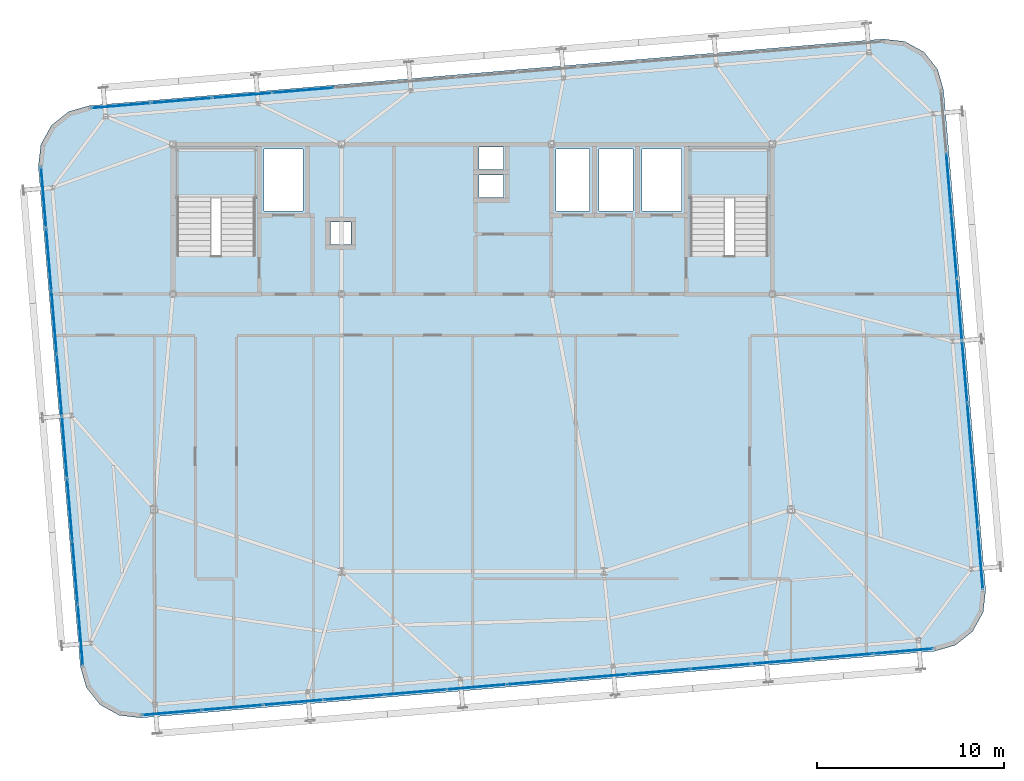
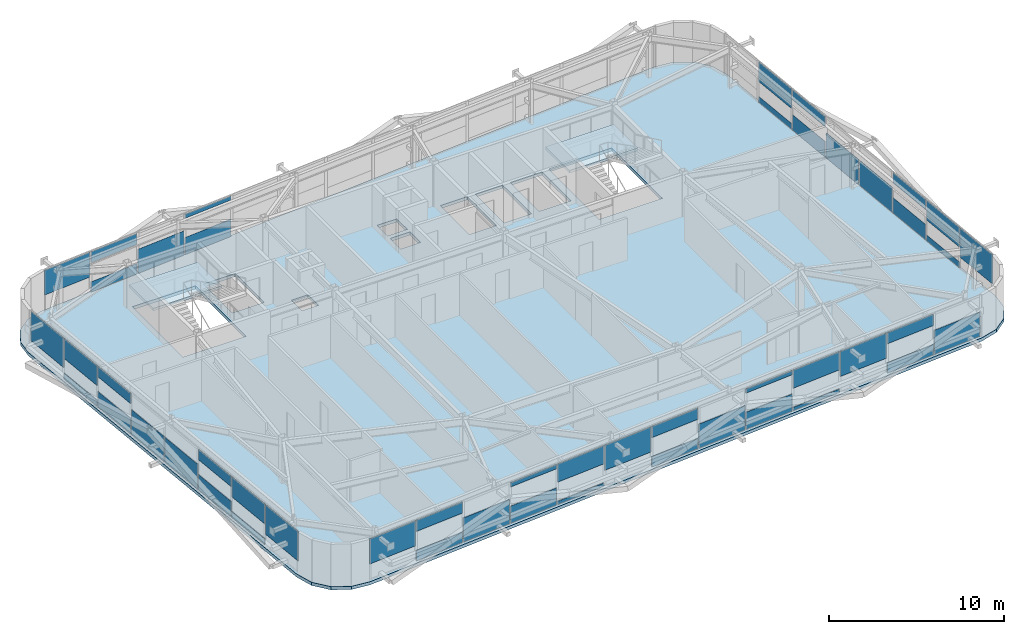
# One storey, part 32 of 44: 49 plates, 3 slabs, 6 elements without a shape of their own.
"""IFC4 building model written with IfcOpenShell, lengths in metres."""

import ifcopenshell
import ifcopenshell.guid

model = None  # the IFC model being written
_history = None  # IfcOwnerHistory: only IFC2X3 demands one
_inside = {}  # id of a spatial element -> (the spatial element, [elements in it])
_under = {}  # id of a project, library or spatial element -> (it, [spatial elements below it])
_declared = {}  # id of a project -> (the project, [libraries it declares])
_typed = {}  # id of a type object -> (the type object, [elements of that type])
_made_of = {}  # id of a material, layer set ... -> (it, [elements and type objects made of it])


def new_model(schema):
    """Start an empty IFC model of exactly this schema.

    Asked for "IFC4X3", IfcOpenShell would pick the latest addendum, in which some entities
    have other attributes; the version numbers below select the first issue.
    IFC2X3 requires an IfcOwnerHistory on every rooted entity: one is made here for all.
    """
    global model, _history
    if schema == "IFC4X3":
        model = ifcopenshell.file(schema_version=(4, 3, 0, 0))
    else:
        model = ifcopenshell.file(schema=schema)
    _inside.clear()
    _under.clear()
    _declared.clear()
    _typed.clear()
    _made_of.clear()
    _history = None
    if model.schema == "IFC2X3":
        org = make("IfcOrganization", Name="unknown")
        user = make(
            "IfcPersonAndOrganization",
            ThePerson=make("IfcPerson", FamilyName="unknown"),
            TheOrganization=org,
        )
        app = make(
            "IfcApplication",
            ApplicationDeveloper=org,
            Version="unknown",
            ApplicationFullName="unknown",
            ApplicationIdentifier="unknown",
        )
        _history = make(
            "IfcOwnerHistory",
            OwningUser=user,
            OwningApplication=app,
            ChangeAction="ADDED",
            CreationDate=0,
        )
    return model


def make(cls, **values):
    """One entity of the class cls with the attributes given. An attribute that is None is left unset."""
    return model.create_entity(
        cls, **{name: value for name, value in values.items() if value is not None}
    )


def rooted(cls, **values):
    """An entity with a GlobalId (a new one), such as an element, a storey or a relation."""
    return make(cls, GlobalId=ifcopenshell.guid.new(), OwnerHistory=_history, **values)


def si_unit(unit_type, name, prefix=None):
    """IfcSIUnit, for example si_unit("LENGTHUNIT", "METRE", prefix="MILLI")."""
    return make("IfcSIUnit", UnitType=unit_type, Prefix=prefix, Name=name)


def assignment(units):
    """IfcUnitAssignment: the units of a project."""
    return None if units is None else make("IfcUnitAssignment", Units=units)


def point(xyz):
    """IfcCartesianPoint."""
    return None if xyz is None else make("IfcCartesianPoint", Coordinates=xyz)


def direction(xyz):
    """IfcDirection."""
    return None if xyz is None else make("IfcDirection", DirectionRatios=xyz)


def frame(location, z_axis=None, x_axis=None):
    """IfcAxis2Placement3D, a coordinate frame: its origin and axes. An axis left out is left unset."""
    return make(
        "IfcAxis2Placement3D",
        Location=point(location),
        Axis=direction(z_axis),
        RefDirection=direction(x_axis),
    )


def frame_2d(location, x_axis=None):
    """IfcAxis2Placement2D, a coordinate frame in the plane: its origin and x axis."""
    return make(
        "IfcAxis2Placement2D", Location=point(location), RefDirection=direction(x_axis)
    )


def origin():
    """The frame at (0, 0, 0) with its axes left unset."""
    return frame((0.0, 0.0, 0.0))


def origin_2d():
    """The frame at (0, 0) in the plane with its x axis left unset."""
    return frame_2d((0.0, 0.0))


def place(relative_to, where):
    """IfcLocalPlacement: puts the frame where relative to a parent placement (None: the world)."""
    return make(
        "IfcLocalPlacement", PlacementRelTo=relative_to, RelativePlacement=where
    )


def context(
    kind, dimensions, precision=None, world=None, true_north=None, identifier=None
):
    """IfcGeometricRepresentationContext, for example the 3D "Model" context."""
    return make(
        "IfcGeometricRepresentationContext",
        ContextIdentifier=identifier,
        ContextType=kind,
        CoordinateSpaceDimension=dimensions,
        Precision=precision,
        WorldCoordinateSystem=world,
        TrueNorth=true_north,
    )


def subcontext(parent, identifier, kind, view, scale=None):
    """IfcGeometricRepresentationSubContext, for example "Body" below "Model"."""
    return make(
        "IfcGeometricRepresentationSubContext",
        ContextIdentifier=identifier,
        ContextType=kind,
        ParentContext=parent,
        TargetScale=scale,
        TargetView=view,
    )


def project(units=None, contexts=None):
    """IfcProject with its units and contexts."""
    return rooted(
        "IfcProject",
        Name="project",
        RepresentationContexts=contexts,
        UnitsInContext=assignment(units),
    )


def spatial(cls, under=None, at=None, **own):
    """A site, building, storey or space (cls), placed at a placement, below another one or the project."""
    s = rooted(cls, ObjectPlacement=at, **own)
    if under is not None:
        _under.setdefault(under.id(), (under, []))[1].append(s)
    return s


def polyline(points):
    """IfcPolyline through the points."""
    return make("IfcPolyline", Points=[point(p) for p in points])


def profile(cls, at=None, kind="AREA", **sizes):
    """A parametric profile (cls). Its sizes go by their IFC names, for example OverallWidth=200.0."""
    return make(cls, ProfileType=kind, Position=at, **sizes)


def rectangle(**sizes):
    """IfcRectangleProfileDef."""
    return profile("IfcRectangleProfileDef", **sizes)


def outline(outer, holes=None, kind="AREA"):
    """IfcArbitraryClosedProfileDef: a profile drawn as a closed curve; with holes, ...WithVoids."""
    if holes is None:
        return make("IfcArbitraryClosedProfileDef", ProfileType=kind, OuterCurve=outer)
    return make(
        "IfcArbitraryProfileDefWithVoids",
        ProfileType=kind,
        OuterCurve=outer,
        InnerCurves=holes,
    )


def extrude(swept, where, along, depth):
    """IfcExtrudedAreaSolid: the profile swept, set in the frame where, extruded along a direction by depth."""
    return make(
        "IfcExtrudedAreaSolid",
        SweptArea=swept,
        Position=where,
        ExtrudedDirection=direction(along),
        Depth=depth,
    )


def shape(context_of_items, identifier, shape_type, items):
    """IfcShapeRepresentation: the items that make up one representation, for example the "Body"."""
    return make(
        "IfcShapeRepresentation",
        ContextOfItems=context_of_items,
        RepresentationIdentifier=identifier,
        RepresentationType=shape_type,
        Items=items,
    )


def source(mapping_origin, context_of_items, identifier, shape_type, items):
    """IfcRepresentationMap: a shape defined once, which mapped items show again and again."""
    return make(
        "IfcRepresentationMap",
        MappingOrigin=mapping_origin,
        MappedRepresentation=shape(context_of_items, identifier, shape_type, items),
    )


def transform(
    local_origin,
    x_axis=None,
    y_axis=None,
    z_axis=None,
    scale=None,
    scale2=None,
    scale3=None,
    uniform=True,
):
    """IfcCartesianTransformationOperator3D, or its non-uniform kind. x_axis, y_axis, z_axis: its Axis1, 2, 3."""
    if uniform:
        return make(
            "IfcCartesianTransformationOperator3D",
            Axis1=direction(x_axis),
            Axis2=direction(y_axis),
            LocalOrigin=point(local_origin),
            Scale=scale,
            Axis3=direction(z_axis),
        )
    return make(
        "IfcCartesianTransformationOperator3DnonUniform",
        Axis1=direction(x_axis),
        Axis2=direction(y_axis),
        LocalOrigin=point(local_origin),
        Scale=scale,
        Axis3=direction(z_axis),
        Scale2=scale2,
        Scale3=scale3,
    )


def mapped(mapping_source, mapping_target):
    """IfcMappedItem: shows the shape of a source again, moved by a transform."""
    return make(
        "IfcMappedItem", MappingSource=mapping_source, MappingTarget=mapping_target
    )


def material(Name=None, Category=None):
    """IfcMaterial."""
    return make("IfcMaterial", Name=Name, Category=Category)


def layer(
    of_material, thickness, ventilated=None, Name=None, Category=None, Priority=None
):
    """IfcMaterialLayer: one layer of a wall or slab, of a material (None: an air gap)."""
    return make(
        "IfcMaterialLayer",
        Material=of_material,
        LayerThickness=thickness,
        IsVentilated=ventilated,
        Name=Name,
        Category=Category,
        Priority=Priority,
    )


def layer_set(layers, Name=None):
    """IfcMaterialLayerSet."""
    return make("IfcMaterialLayerSet", MaterialLayers=layers, LayerSetName=Name)


def made_of(thing, what):
    """Note that an element or type object is made of a material, layer set ...; save() writes the relation."""
    if what is not None:
        _made_of.setdefault(what.id(), (what, []))[1].append(thing)
    return thing


def type_object(cls, material=None, **own):
    """A type object (cls), such as IfcWallType, which elements share."""
    return made_of(rooted(cls, **own), material)


def element(
    cls,
    number,
    at=None,
    inside=None,
    cuts=None,
    type_object=None,
    material=None,
    context=None,
    identifier="Body",
    shape_type=None,
    held_by="IfcProductDefinitionShape",
    body=None,
    shapes=None,
    **own,
):
    """One element of the class cls, such as IfcWall. Its Tag is "e" and its number.

    at: its placement. inside: the storey or other place that contains it. cuts: it is an
    opening in that element (IfcRelVoidsElement). A single representation is given by context,
    identifier, shape_type and body (its items); several are given by shapes. held_by: the class
    of the entity that holds the representations. save() writes the other relations.
    """
    e = rooted(cls, Tag="e%d" % number, ObjectPlacement=at, **own)
    if body is not None:
        shapes = [shape(context, identifier, shape_type, body)]
    if shapes is not None:
        e.Representation = make(held_by, Representations=shapes)
    if inside is not None:
        _inside.setdefault(inside.id(), (inside, []))[1].append(e)
    if cuts is not None:
        rooted(
            "IfcRelVoidsElement", RelatingBuildingElement=cuts, RelatedOpeningElement=e
        )
    if type_object is not None:
        _typed.setdefault(type_object.id(), (type_object, []))[1].append(e)
    return made_of(e, material)


def aggregate(whole, parts):
    """IfcRelAggregates: a whole, such as a stair, and the parts it consists of."""
    return rooted("IfcRelAggregates", RelatingObject=whole, RelatedObjects=parts)


def save(model, path):
    """Write the relations noted so far, then the file.

    IfcRelAggregates (storeys below a building ...), IfcRelContainedInSpatialStructure (elements
    in a storey), IfcRelDefinesByType, IfcRelAssociatesMaterial and IfcRelDeclares: one each for
    every whole, place, type object, material and project.
    """
    for whole, parts in _under.values():
        aggregate(whole, parts)
    for where, things in _inside.values():
        rooted(
            "IfcRelContainedInSpatialStructure",
            RelatedElements=things,
            RelatingStructure=where,
        )
    for kind, things in _typed.values():
        rooted("IfcRelDefinesByType", RelatedObjects=things, RelatingType=kind)
    for what, things in _made_of.values():
        rooted("IfcRelAssociatesMaterial", RelatedObjects=things, RelatingMaterial=what)
    for by, libraries in _declared.values():
        rooted("IfcRelDeclares", RelatingContext=by, RelatedDefinitions=libraries)
    model.write(path)


model = new_model("IFC4")

# Units and contexts
model_context = context("Model", 3, precision=1e-05, world=origin(), true_north=direction((0.0, 1.0)))
body_context = subcontext(model_context, "Body", "Model", "MODEL_VIEW")
ifc_project = project(units=[si_unit("LENGTHUNIT", "METRE"), si_unit("AREAUNIT", "SQUARE_METRE"), si_unit("VOLUMEUNIT", "CUBIC_METRE"), si_unit("PLANEANGLEUNIT", "RADIAN"), si_unit("MASSUNIT", "GRAM", prefix="KILO")], contexts=[model_context])

# Site, building, storey
site_placement = place(None, origin())
site = spatial("IfcSite", under=ifc_project, at=site_placement, CompositionType="ELEMENT")
building_placement = place(site_placement, origin())
building = spatial("IfcBuilding", under=site, at=building_placement, Name="Taldren Reach Tower", CompositionType="ELEMENT")
storey_placement = place(building_placement, frame((0.0, 0.0, 191.449951171875)))
storey = spatial("IfcBuildingStorey", under=building, at=storey_placement, Name="L58", CompositionType="ELEMENT", Elevation=191.449951171875)

# Slab
ifc_material_1 = material(Name="Concrete N40 (40 MPa)", Category="concrete")
ifc_layer_1 = layer(ifc_material_1, 0.219970703125)
ifc_layer_set_1 = layer_set([ifc_layer_1], Name="Concrete N40 (40 MPa)")
slab_type_1 = type_object("IfcSlabType", Name="SL-FLR-220", PredefinedType="FLOOR", material=ifc_layer_set_1)
slab_1_placement = place(storey_placement, frame((0.0, 0.0, -0.219970703125)))
element("IfcSlab", 1, at=slab_1_placement, inside=storey, type_object=slab_type_1, Name="Suspended floor slab L58", PredefinedType="FLOOR", context=body_context, shape_type="SweptSolid", body=[
    extrude(outline(polyline([(59.647705078125, 4.935791015625), (60.772705078125, 5.25927734375), (61.688232421875, 5.98876953125), (62.254638671875, 7.012939453125), (62.38623046875, 8.17626953125), (60.1435546875, 34.882080078125), (59.820068359375, 36.007080078125), (59.090576171875, 36.922607421875), (58.06640625, 37.4892578125), (56.903076171875, 37.62060546875), (14.55224609375, 34.064208984375), (13.42724609375, 33.74072265625), (12.511962890625, 33.01123046875), (11.9453125, 31.987060546875), (11.813720703125, 30.82373046875), (14.056396484375, 4.117919921875), (14.3798828125, 2.992919921875), (15.109375, 2.077392578125), (16.1337890625, 1.5107421875), (17.296875, 1.37939453125), (59.647705078125, 4.935791015625)]), holes=[polyline([(19.219970703125, 26.050048828125), (23.3798828125, 26.050048828125), (23.3798828125, 31.820068359375), (19.219970703125, 31.820068359375), (19.219970703125, 26.050048828125)]), polyline([(46.6201171875, 26.050048828125), (50.780029296875, 26.050048828125), (50.780029296875, 31.820068359375), (46.6201171875, 31.820068359375), (46.6201171875, 26.050048828125)]), polyline([(23.85009765625, 28.449951171875), (25.949951171875, 28.449951171875), (25.949951171875, 31.75), (23.85009765625, 31.75), (23.85009765625, 28.449951171875)]), polyline([(44.050048828125, 28.449951171875), (46.14990234375, 28.449951171875), (46.14990234375, 31.75), (44.050048828125, 31.75), (44.050048828125, 28.449951171875)]), polyline([(39.449951171875, 28.449951171875), (41.25, 28.449951171875), (41.25, 31.75), (39.449951171875, 31.75), (39.449951171875, 28.449951171875)]), polyline([(41.75, 28.449951171875), (43.550048828125, 28.449951171875), (43.550048828125, 31.75), (41.75, 31.75), (41.75, 28.449951171875)]), polyline([(35.35009765625, 30.64990234375), (36.64990234375, 30.64990234375), (36.64990234375, 31.85009765625), (35.35009765625, 31.85009765625), (35.35009765625, 30.64990234375)]), polyline([(35.35009765625, 29.14990234375), (36.64990234375, 29.14990234375), (36.64990234375, 30.35009765625), (35.35009765625, 30.35009765625), (35.35009765625, 29.14990234375)]), polyline([(27.39990234375, 26.64990234375), (28.5, 26.64990234375), (28.5, 27.85009765625), (27.39990234375, 27.85009765625), (27.39990234375, 26.64990234375)])]), origin(), (0.0, 0.0, 1.0), 0.219970703125),
])

# Stair, slab
ifc_material_2 = material(Name="Concrete S50 (50 MPa)", Category="concrete")
stair_type = type_object("IfcStairType", Name="ST-HT-315", PredefinedType="HALF_TURN_STAIR", material=ifc_material_2)
stair_1_placement = place(storey_placement, origin())
stair_1 = element("IfcStair", 2, at=stair_1_placement, inside=storey, type_object=stair_type, Name="Fire-isolated exit stair ST1 L58", PredefinedType="HALF_TURN_STAIR")
ifc_layer_2 = layer(ifc_material_2, 0.179931640625)
ifc_layer_set_2 = layer_set([ifc_layer_2], Name="Concrete S50 (50 MPa)")
slab_type_2 = type_object("IfcSlabType", Name="SL-LAND-180", PredefinedType="LANDING", material=ifc_layer_set_2)
slab_2_placement = place(storey_placement, frame((0.0, 0.0, 1.39501953125)))
slab_2 = element("IfcSlab", 3, at=slab_2_placement, type_object=slab_type_2, Name="ST1 landing 1", PredefinedType="LANDING", context=body_context, shape_type="SweptSolid", body=[
    extrude(outline(polyline([(19.0400390625, 29.135009765625), (23.56005859375, 29.135009765625), (23.56005859375, 31.8701171875), (19.0400390625, 31.8701171875), (19.0400390625, 29.135009765625)])), origin(), (0.0, 0.0, 1.0), 0.179931640625),
])
aggregate(stair_1, [slab_2])

stair_2_placement = place(storey_placement, origin())
stair_2 = element("IfcStair", 4, at=stair_2_placement, inside=storey, type_object=stair_type, Name="Fire-isolated exit stair ST2 L58", PredefinedType="HALF_TURN_STAIR")
slab_3_placement = place(storey_placement, frame((0.0, 0.0, 1.39501953125)))
slab_3 = element("IfcSlab", 5, at=slab_3_placement, type_object=slab_type_2, Name="ST2 landing 1", PredefinedType="LANDING", context=body_context, shape_type="SweptSolid", body=[
    extrude(outline(polyline([(46.43994140625, 29.135009765625), (50.9599609375, 29.135009765625), (50.9599609375, 31.8701171875), (46.43994140625, 31.8701171875), (46.43994140625, 29.135009765625)])), origin(), (0.0, 0.0, 1.0), 0.179931640625),
])
aggregate(stair_2, [slab_3])

# Curtain wall, plate
ifc_material_3 = material(Name="Aluminium and Low-E Glass Unitised System", Category="aluminium")
ifc_layer_3 = layer(ifc_material_3, 0.159912109375)
ifc_layer_set_3 = layer_set([ifc_layer_3], Name="Aluminium and Low-E Glass Unitised System")
curtain_wall_type = type_object("IfcCurtainWallType", Name="CW-SYS-5", PredefinedType="NOTDEFINED", material=ifc_layer_set_3)
curtain_wall_1_placement = place(storey_placement, origin())
curtain_wall_1 = element("IfcCurtainWall", 6, at=curtain_wall_1_placement, inside=storey, type_object=curtain_wall_type, Name="Unitised curtain wall CW-L58-S", PredefinedType="NOTDEFINED")
ifc_material_4 = material(Name="Acoustic Triple-Laminated IGU", Category="glass")
ifc_layer_4 = layer(ifc_material_4, 0.035888671875)
ifc_layer_set_4 = layer_set([ifc_layer_4], Name="Acoustic Triple-Laminated IGU")
plate_type = type_object("IfcPlateType", Name="CW-PNL-IGU36", PredefinedType="CURTAIN_PANEL", material=ifc_layer_set_4)
shared_shape_1 = source(origin(), body_context, "Body", "SweptSolid", [
    extrude(rectangle(XDim=3.164306640625, YDim=0.035888671875, at=origin_2d()), origin(), (0.0, 0.0, 1.0), 1.734130859375),
])
plate_1_placement = place(storey_placement, frame((18.931396484375, 1.6572265625, 1.1357421875), z_axis=(0.0, 0.0, 1.0), x_axis=(0.996492854922, 0.083677894865, 0.0)))
plate_1 = element("IfcPlate", 7, at=plate_1_placement, type_object=plate_type, Name="CW-5 panel 1.1 part 1", PredefinedType="CURTAIN_PANEL", context=body_context, shape_type="MappedRepresentation", body=[
    mapped(shared_shape_1, transform((0.0, 0.0, 0.0), scale=1.0)),
])

curtain_wall_2_placement = place(storey_placement, origin())
curtain_wall_2 = element("IfcCurtainWall", 8, at=curtain_wall_2_placement, inside=storey, type_object=curtain_wall_type, Name="Unitised curtain wall CW-L58-N", PredefinedType="NOTDEFINED")
plate_2_placement = place(storey_placement, frame((16.210205078125, 34.06298828125, 1.1357421875), z_axis=(0.0, 0.0, 1.0), x_axis=(-0.99649285657, -0.083677875247, 0.0)))
plate_2 = element("IfcPlate", 9, at=plate_2_placement, type_object=plate_type, Name="CW-5 panel 13.1 part 1", PredefinedType="CURTAIN_PANEL", context=body_context, shape_type="MappedRepresentation", body=[
    mapped(shared_shape_1, transform((0.0, 0.0, 0.0), scale=1.0)),
])

# Plate
shared_shape_2 = source(origin(), body_context, "Body", "SweptSolid", [
    extrude(rectangle(XDim=3.19921875, YDim=0.035888671875, at=origin_2d()), origin(), (0.0, 0.0, 1.0), 0.711181640625),
])
plate_3_placement = place(storey_placement, frame((22.171875, 1.92919921875, 0.06005859375), z_axis=(0.0, 0.0, 1.0), x_axis=(0.996492854922, 0.083677894865, 0.0)))
plate_3 = element("IfcPlate", 10, at=plate_3_placement, type_object=plate_type, Name="CW-5 panel 2.1 part 1", PredefinedType="CURTAIN_PANEL", context=body_context, shape_type="MappedRepresentation", body=[
    mapped(shared_shape_2, transform((0.0, 0.0, 0.0), scale=1.0)),
])

plate_4_placement = place(storey_placement, frame((19.45068359375, 34.335205078125, 0.06005859375), z_axis=(0.0, 0.0, 1.0), x_axis=(-0.99649285657, -0.083677875247, 0.0)))
plate_4 = element("IfcPlate", 11, at=plate_4_placement, type_object=plate_type, Name="CW-5 panel 12.1 part 1", PredefinedType="CURTAIN_PANEL", context=body_context, shape_type="MappedRepresentation", body=[
    mapped(shared_shape_2, transform((0.0, 0.0, 0.0), scale=1.0)),
])

shared_shape_3 = source(origin(), body_context, "Body", "SweptSolid", [
    extrude(rectangle(XDim=3.19921875, YDim=0.035888671875, at=origin_2d()), origin(), (0.0, 0.0, 1.0), 0.762939453125),
])
plate_5_placement = place(storey_placement, frame((22.171875, 1.92919921875, 2.10693359375), z_axis=(0.0, 0.0, 1.0), x_axis=(0.996492854922, 0.083677894865, 0.0)))
plate_5 = element("IfcPlate", 12, at=plate_5_placement, type_object=plate_type, Name="CW-5 panel 2.1 part 2", PredefinedType="CURTAIN_PANEL", context=body_context, shape_type="MappedRepresentation", body=[
    mapped(shared_shape_3, transform((0.0, 0.0, 0.0), scale=1.0)),
])

plate_6_placement = place(storey_placement, frame((19.45068359375, 34.335205078125, 2.10693359375), z_axis=(0.0, 0.0, 1.0), x_axis=(-0.99649285657, -0.083677875247, 0.0)))
plate_6 = element("IfcPlate", 13, at=plate_6_placement, type_object=plate_type, Name="CW-5 panel 12.1 part 2", PredefinedType="CURTAIN_PANEL", context=body_context, shape_type="MappedRepresentation", body=[
    mapped(shared_shape_3, transform((0.0, 0.0, 0.0), scale=1.0)),
])

shared_shape_4 = source(origin(), body_context, "Body", "SweptSolid", [
    extrude(rectangle(XDim=3.19921875, YDim=0.035888671875, at=origin_2d()), origin(), (0.0, 0.0, 1.0), 1.682373046875),
])
plate_7_placement = place(storey_placement, frame((25.429443359375, 2.202880859375, 0.06005859375), z_axis=(0.0, 0.0, 1.0), x_axis=(0.996492854922, 0.083677894865, 0.0)))
plate_7 = element("IfcPlate", 14, at=plate_7_placement, type_object=plate_type, Name="CW-5 panel 3.1 part 1", PredefinedType="CURTAIN_PANEL", context=body_context, shape_type="MappedRepresentation", body=[
    mapped(shared_shape_4, transform((0.0, 0.0, 0.0), scale=1.0)),
])

plate_8_placement = place(storey_placement, frame((22.708251953125, 34.608642578125, 0.06005859375), z_axis=(0.0, 0.0, 1.0), x_axis=(-0.99649285657, -0.083677875247, 0.0)))
plate_8 = element("IfcPlate", 15, at=plate_8_placement, type_object=plate_type, Name="CW-5 panel 11.1 part 1", PredefinedType="CURTAIN_PANEL", context=body_context, shape_type="MappedRepresentation", body=[
    mapped(shared_shape_4, transform((0.0, 0.0, 0.0), scale=1.0)),
])

shared_shape_5 = source(origin(), body_context, "Body", "SweptSolid", [
    extrude(rectangle(XDim=3.19921875, YDim=0.035888671875, at=origin_2d()), origin(), (0.0, 0.0, 1.0), 1.190673828125),
])
plate_9_placement = place(storey_placement, frame((28.687255859375, 2.476318359375, 0.06005859375), z_axis=(0.0, 0.0, 1.0), x_axis=(0.996492854922, 0.083677894865, 0.0)))
plate_9 = element("IfcPlate", 16, at=plate_9_placement, type_object=plate_type, Name="CW-5 panel 4.1 part 1", PredefinedType="CURTAIN_PANEL", context=body_context, shape_type="MappedRepresentation", body=[
    mapped(shared_shape_5, transform((0.0, 0.0, 0.0), scale=1.0)),
])

plate_10_placement = place(storey_placement, frame((25.966064453125, 34.88232421875, 0.06005859375), z_axis=(0.0, 0.0, 1.0), x_axis=(-0.99649285657, -0.083677875247, 0.0)))
plate_10 = element("IfcPlate", 17, at=plate_10_placement, type_object=plate_type, Name="CW-5 panel 10.1 part 1", PredefinedType="CURTAIN_PANEL", context=body_context, shape_type="MappedRepresentation", body=[
    mapped(shared_shape_5, transform((0.0, 0.0, 0.0), scale=1.0)),
])

shared_shape_6 = source(origin(), body_context, "Body", "SweptSolid", [
    extrude(rectangle(XDim=3.19921875, YDim=0.035888671875, at=origin_2d()), origin(), (0.0, 0.0, 1.0), 0.283447265625),
])
plate_11_placement = place(storey_placement, frame((28.687255859375, 2.476318359375, 2.58642578125), z_axis=(0.0, 0.0, 1.0), x_axis=(0.996492854922, 0.083677894865, 0.0)))
plate_11 = element("IfcPlate", 18, at=plate_11_placement, type_object=plate_type, Name="CW-5 panel 4.1 part 2", PredefinedType="CURTAIN_PANEL", context=body_context, shape_type="MappedRepresentation", body=[
    mapped(shared_shape_6, transform((0.0, 0.0, 0.0), scale=1.0)),
])

plate_12_placement = place(storey_placement, frame((25.966064453125, 34.88232421875, 2.58642578125), z_axis=(0.0, 0.0, 1.0), x_axis=(-0.99649285657, -0.083677875247, 0.0)))
plate_12 = element("IfcPlate", 19, at=plate_12_placement, type_object=plate_type, Name="CW-5 panel 10.1 part 2", PredefinedType="CURTAIN_PANEL", context=body_context, shape_type="MappedRepresentation", body=[
    mapped(shared_shape_6, transform((0.0, 0.0, 0.0), scale=1.0)),
])

aggregate(curtain_wall_2, [plate_10, plate_12, plate_8, plate_4, plate_6, plate_2])

shared_shape_7 = source(origin(), body_context, "Body", "SweptSolid", [
    extrude(rectangle(XDim=3.19921875, YDim=0.035888671875, at=origin_2d()), origin(), (0.0, 0.0, 1.0), 0.219482421875),
])
plate_13_placement = place(storey_placement, frame((31.945068359375, 2.75, 0.06005859375), z_axis=(0.0, 0.0, 1.0), x_axis=(0.996492854922, 0.083677894865, 0.0)))
plate_13 = element("IfcPlate", 20, at=plate_13_placement, type_object=plate_type, Name="CW-5 panel 5.1 part 1", PredefinedType="CURTAIN_PANEL", context=body_context, shape_type="MappedRepresentation", body=[
    mapped(shared_shape_7, transform((0.0, 0.0, 0.0), scale=1.0)),
])

shared_shape_8 = source(origin(), body_context, "Body", "SweptSolid", [
    extrude(rectangle(XDim=3.19921875, YDim=0.035888671875, at=origin_2d()), origin(), (0.0, 0.0, 1.0), 1.254638671875),
])
plate_14_placement = place(storey_placement, frame((31.945068359375, 2.75, 1.615234375), z_axis=(0.0, 0.0, 1.0), x_axis=(0.996492854922, 0.083677894865, 0.0)))
plate_14 = element("IfcPlate", 21, at=plate_14_placement, type_object=plate_type, Name="CW-5 panel 5.1 part 2", PredefinedType="CURTAIN_PANEL", context=body_context, shape_type="MappedRepresentation", body=[
    mapped(shared_shape_8, transform((0.0, 0.0, 0.0), scale=1.0)),
])

shared_shape_9 = source(origin(), body_context, "Body", "SweptSolid", [
    extrude(rectangle(XDim=3.19921875, YDim=0.035888671875, at=origin_2d()), origin(), (0.0, 0.0, 1.0), 1.73828125),
])
plate_15_placement = place(storey_placement, frame((35.202880859375, 3.0234375, 1.1318359375), z_axis=(0.0, 0.0, 1.0), x_axis=(0.996492854922, 0.083677894865, 0.0)))
plate_15 = element("IfcPlate", 22, at=plate_15_placement, type_object=plate_type, Name="CW-5 panel 6.1 part 1", PredefinedType="CURTAIN_PANEL", context=body_context, shape_type="MappedRepresentation", body=[
    mapped(shared_shape_9, transform((0.0, 0.0, 0.0), scale=1.0)),
])

shared_shape_10 = source(origin(), body_context, "Body", "SweptSolid", [
    extrude(rectangle(XDim=3.19921875, YDim=0.035888671875, at=origin_2d()), origin(), (0.0, 0.0, 1.0), 0.70703125),
])
plate_16_placement = place(storey_placement, frame((38.460693359375, 3.297119140625, 0.06005859375), z_axis=(0.0, 0.0, 1.0), x_axis=(0.996492854922, 0.083677894865, 0.0)))
plate_16 = element("IfcPlate", 23, at=plate_16_placement, type_object=plate_type, Name="CW-5 panel 7.1 part 1", PredefinedType="CURTAIN_PANEL", context=body_context, shape_type="MappedRepresentation", body=[
    mapped(shared_shape_10, transform((0.0, 0.0, 0.0), scale=1.0)),
])

shared_shape_11 = source(origin(), body_context, "Body", "SweptSolid", [
    extrude(rectangle(XDim=3.19921875, YDim=0.035888671875, at=origin_2d()), origin(), (0.0, 0.0, 1.0), 0.76708984375),
])
plate_17_placement = place(storey_placement, frame((38.460693359375, 3.297119140625, 2.10302734375), z_axis=(0.0, 0.0, 1.0), x_axis=(0.996492854922, 0.083677894865, 0.0)))
plate_17 = element("IfcPlate", 24, at=plate_17_placement, type_object=plate_type, Name="CW-5 panel 7.1 part 2", PredefinedType="CURTAIN_PANEL", context=body_context, shape_type="MappedRepresentation", body=[
    mapped(shared_shape_11, transform((0.0, 0.0, 0.0), scale=1.0)),
])

shared_shape_12 = source(origin(), body_context, "Body", "SweptSolid", [
    extrude(rectangle(XDim=3.19921875, YDim=0.035888671875, at=origin_2d()), origin(), (0.0, 0.0, 1.0), 1.67822265625),
])
plate_18_placement = place(storey_placement, frame((41.71826171875, 3.570556640625, 0.06005859375), z_axis=(0.0, 0.0, 1.0), x_axis=(0.996492854922, 0.083677894865, 0.0)))
plate_18 = element("IfcPlate", 25, at=plate_18_placement, type_object=plate_type, Name="CW-5 panel 8.1 part 1", PredefinedType="CURTAIN_PANEL", context=body_context, shape_type="MappedRepresentation", body=[
    mapped(shared_shape_12, transform((0.0, 0.0, 0.0), scale=1.0)),
])

shared_shape_13 = source(origin(), body_context, "Body", "SweptSolid", [
    extrude(rectangle(XDim=3.19921875, YDim=0.035888671875, at=origin_2d()), origin(), (0.0, 0.0, 1.0), 1.194580078125),
])
plate_19_placement = place(storey_placement, frame((44.97607421875, 3.84423828125, 0.06005859375), z_axis=(0.0, 0.0, 1.0), x_axis=(0.996492854922, 0.083677894865, 0.0)))
plate_19 = element("IfcPlate", 26, at=plate_19_placement, type_object=plate_type, Name="CW-5 panel 9.1 part 1", PredefinedType="CURTAIN_PANEL", context=body_context, shape_type="MappedRepresentation", body=[
    mapped(shared_shape_13, transform((0.0, 0.0, 0.0), scale=1.0)),
])

shared_shape_14 = source(origin(), body_context, "Body", "SweptSolid", [
    extrude(rectangle(XDim=3.19921875, YDim=0.035888671875, at=origin_2d()), origin(), (0.0, 0.0, 1.0), 0.279296875),
])
plate_20_placement = place(storey_placement, frame((44.97607421875, 3.84423828125, 2.5908203125), z_axis=(0.0, 0.0, 1.0), x_axis=(0.996492854922, 0.083677894865, 0.0)))
plate_20 = element("IfcPlate", 27, at=plate_20_placement, type_object=plate_type, Name="CW-5 panel 9.1 part 2", PredefinedType="CURTAIN_PANEL", context=body_context, shape_type="MappedRepresentation", body=[
    mapped(shared_shape_14, transform((0.0, 0.0, 0.0), scale=1.0)),
])

shared_shape_15 = source(origin(), body_context, "Body", "SweptSolid", [
    extrude(rectangle(XDim=3.19921875, YDim=0.035888671875, at=origin_2d()), origin(), (0.0, 0.0, 1.0), 0.223388671875),
])
plate_21_placement = place(storey_placement, frame((48.23388671875, 4.11767578125, 0.06005859375), z_axis=(0.0, 0.0, 1.0), x_axis=(0.996492854922, 0.083677894865, 0.0)))
plate_21 = element("IfcPlate", 28, at=plate_21_placement, type_object=plate_type, Name="CW-5 panel 10.1 part 1", PredefinedType="CURTAIN_PANEL", context=body_context, shape_type="MappedRepresentation", body=[
    mapped(shared_shape_15, transform((0.0, 0.0, 0.0), scale=1.0)),
])

shared_shape_16 = source(origin(), body_context, "Body", "SweptSolid", [
    extrude(rectangle(XDim=3.19921875, YDim=0.035888671875, at=origin_2d()), origin(), (0.0, 0.0, 1.0), 1.25048828125),
])
plate_22_placement = place(storey_placement, frame((48.23388671875, 4.11767578125, 1.61962890625), z_axis=(0.0, 0.0, 1.0), x_axis=(0.996492854922, 0.083677894865, 0.0)))
plate_22 = element("IfcPlate", 29, at=plate_22_placement, type_object=plate_type, Name="CW-5 panel 10.1 part 2", PredefinedType="CURTAIN_PANEL", context=body_context, shape_type="MappedRepresentation", body=[
    mapped(shared_shape_16, transform((0.0, 0.0, 0.0), scale=1.0)),
])

shared_shape_17 = source(origin(), body_context, "Body", "SweptSolid", [
    extrude(rectangle(XDim=3.19921875, YDim=0.035888671875, at=origin_2d()), origin(), (0.0, 0.0, 1.0), 1.742431640625),
])
plate_23_placement = place(storey_placement, frame((51.49169921875, 4.391357421875, 1.12744140625), z_axis=(0.0, 0.0, 1.0), x_axis=(0.996492854922, 0.083677894865, 0.0)))
plate_23 = element("IfcPlate", 30, at=plate_23_placement, type_object=plate_type, Name="CW-5 panel 11.1 part 1", PredefinedType="CURTAIN_PANEL", context=body_context, shape_type="MappedRepresentation", body=[
    mapped(shared_shape_17, transform((0.0, 0.0, 0.0), scale=1.0)),
])

shared_shape_18 = source(origin(), body_context, "Body", "SweptSolid", [
    extrude(rectangle(XDim=3.19921875, YDim=0.035888671875, at=origin_2d()), origin(), (0.0, 0.0, 1.0), 0.702880859375),
])
plate_24_placement = place(storey_placement, frame((54.74951171875, 4.664794921875, 0.06005859375), z_axis=(0.0, 0.0, 1.0), x_axis=(0.996492854922, 0.083677894865, 0.0)))
plate_24 = element("IfcPlate", 31, at=plate_24_placement, type_object=plate_type, Name="CW-5 panel 12.1 part 1", PredefinedType="CURTAIN_PANEL", context=body_context, shape_type="MappedRepresentation", body=[
    mapped(shared_shape_18, transform((0.0, 0.0, 0.0), scale=1.0)),
])

shared_shape_19 = source(origin(), body_context, "Body", "SweptSolid", [
    extrude(rectangle(XDim=3.19921875, YDim=0.035888671875, at=origin_2d()), origin(), (0.0, 0.0, 1.0), 0.771240234375),
])
plate_25_placement = place(storey_placement, frame((54.74951171875, 4.664794921875, 2.0986328125), z_axis=(0.0, 0.0, 1.0), x_axis=(0.996492854922, 0.083677894865, 0.0)))
plate_25 = element("IfcPlate", 32, at=plate_25_placement, type_object=plate_type, Name="CW-5 panel 12.1 part 2", PredefinedType="CURTAIN_PANEL", context=body_context, shape_type="MappedRepresentation", body=[
    mapped(shared_shape_19, transform((0.0, 0.0, 0.0), scale=1.0)),
])

shared_shape_20 = source(origin(), body_context, "Body", "SweptSolid", [
    extrude(rectangle(XDim=3.164306640625, YDim=0.035888671875, at=origin_2d()), origin(), (0.0, 0.0, 1.0), 1.674072265625),
])
plate_26_placement = place(storey_placement, frame((57.98974609375, 4.93701171875, 0.06005859375), z_axis=(0.0, 0.0, 1.0), x_axis=(0.996492854922, 0.083677894865, 0.0)))
plate_26 = element("IfcPlate", 33, at=plate_26_placement, type_object=plate_type, Name="CW-5 panel 13.1 part 1", PredefinedType="CURTAIN_PANEL", context=body_context, shape_type="MappedRepresentation", body=[
    mapped(shared_shape_20, transform((0.0, 0.0, 0.0), scale=1.0)),
])

aggregate(curtain_wall_1, [plate_1, plate_3, plate_5, plate_7, plate_9, plate_11, plate_13, plate_14, plate_15, plate_16, plate_17, plate_18, plate_19, plate_20, plate_21, plate_22, plate_23, plate_24, plate_25, plate_26])

# Curtain wall, plates
curtain_wall_3_placement = place(storey_placement, origin())
curtain_wall_3 = element("IfcCurtainWall", 34, at=curtain_wall_3_placement, inside=storey, type_object=curtain_wall_type, Name="Unitised curtain wall CW-L58-W", PredefinedType="NOTDEFINED")
shared_shape_21 = source(origin(), body_context, "Body", "SweptSolid", [
    extrude(rectangle(XDim=3.2451171875, YDim=0.035888671875, at=origin_2d()), origin(), (0.0, 0.0, 1.0), 2.040283203125),
])
plate_27_placement = place(storey_placement, frame((12.094970703125, 29.14892578125, 0.82958984375), z_axis=(0.0, 0.0, 1.0), x_axis=(0.083677979808, -0.996492847789, 0.0)))
plate_27 = element("IfcPlate", 35, at=plate_27_placement, type_object=plate_type, Name="CW-5 panel 1.1 part 1", PredefinedType="CURTAIN_PANEL", context=body_context, shape_type="MappedRepresentation", body=[
    mapped(shared_shape_21, transform((0.0, 0.0, 0.0), scale=1.0)),
])
plate_28_placement = place(storey_placement, frame((14.05419921875, 5.816162109375, 0.82958984375), z_axis=(0.0, 0.0, 1.0), x_axis=(0.083677979808, -0.996492847789, 0.0)))
plate_28 = element("IfcPlate", 36, at=plate_28_placement, type_object=plate_type, Name="CW-5 panel 8.1 part 1", PredefinedType="CURTAIN_PANEL", context=body_context, shape_type="MappedRepresentation", body=[
    mapped(shared_shape_21, transform((0.0, 0.0, 0.0), scale=1.0)),
])

# Curtain wall, plate
curtain_wall_4_placement = place(storey_placement, origin())
curtain_wall_4 = element("IfcCurtainWall", 37, at=curtain_wall_4_placement, inside=storey, type_object=curtain_wall_type, Name="Unitised curtain wall CW-L58-E", PredefinedType="NOTDEFINED")
plate_29_placement = place(storey_placement, frame((62.105224609375, 9.85107421875, 0.82958984375), z_axis=(0.0, 0.0, 1.0), x_axis=(-0.083677979808, 0.996492847789, 0.0)))
plate_29 = element("IfcPlate", 38, at=plate_29_placement, type_object=plate_type, Name="CW-5 panel 1.1 part 1", PredefinedType="CURTAIN_PANEL", context=body_context, shape_type="MappedRepresentation", body=[
    mapped(shared_shape_21, transform((0.0, 0.0, 0.0), scale=1.0)),
])

# Plate
shared_shape_22 = source(origin(), body_context, "Body", "SweptSolid", [
    extrude(rectangle(XDim=3.280029296875, YDim=0.035888671875, at=origin_2d()), origin(), (0.0, 0.0, 1.0), 0.40673828125),
])
plate_30_placement = place(storey_placement, frame((12.373779296875, 25.828125, 0.06005859375), z_axis=(0.0, 0.0, 1.0), x_axis=(0.083677979808, -0.996492847789, 0.0)))
plate_30 = element("IfcPlate", 39, at=plate_30_placement, type_object=plate_type, Name="CW-5 panel 2.1 part 1", PredefinedType="CURTAIN_PANEL", context=body_context, shape_type="MappedRepresentation", body=[
    mapped(shared_shape_22, transform((0.0, 0.0, 0.0), scale=1.0)),
])

plate_31_placement = place(storey_placement, frame((13.775390625, 9.136962890625, 0.06005859375), z_axis=(0.0, 0.0, 1.0), x_axis=(0.083677979808, -0.996492847789, 0.0)))
plate_31 = element("IfcPlate", 40, at=plate_31_placement, type_object=plate_type, Name="CW-5 panel 7.1 part 1", PredefinedType="CURTAIN_PANEL", context=body_context, shape_type="MappedRepresentation", body=[
    mapped(shared_shape_22, transform((0.0, 0.0, 0.0), scale=1.0)),
])

plate_32_placement = place(storey_placement, frame((61.826171875, 13.171875, 0.06005859375), z_axis=(0.0, 0.0, 1.0), x_axis=(-0.083677979808, 0.996492847789, 0.0)))
plate_32 = element("IfcPlate", 41, at=plate_32_placement, type_object=plate_type, Name="CW-5 panel 2.1 part 1", PredefinedType="CURTAIN_PANEL", context=body_context, shape_type="MappedRepresentation", body=[
    mapped(shared_shape_22, transform((0.0, 0.0, 0.0), scale=1.0)),
])

plate_33_placement = place(storey_placement, frame((60.424560546875, 29.863037109375, 0.06005859375), z_axis=(0.0, 0.0, 1.0), x_axis=(-0.083677979808, 0.996492847789, 0.0)))
plate_33 = element("IfcPlate", 42, at=plate_33_placement, type_object=plate_type, Name="CW-5 panel 7.1 part 1", PredefinedType="CURTAIN_PANEL", context=body_context, shape_type="MappedRepresentation", body=[
    mapped(shared_shape_22, transform((0.0, 0.0, 0.0), scale=1.0)),
])

shared_shape_23 = source(origin(), body_context, "Body", "SweptSolid", [
    extrude(rectangle(XDim=3.280029296875, YDim=0.035888671875, at=origin_2d()), origin(), (0.0, 0.0, 1.0), 1.373046875),
])
plate_34_placement = place(storey_placement, frame((12.373779296875, 25.828125, 1.4970703125), z_axis=(0.0, 0.0, 1.0), x_axis=(0.083677979808, -0.996492847789, 0.0)))
plate_34 = element("IfcPlate", 43, at=plate_34_placement, type_object=plate_type, Name="CW-5 panel 2.1 part 2", PredefinedType="CURTAIN_PANEL", context=body_context, shape_type="MappedRepresentation", body=[
    mapped(shared_shape_23, transform((0.0, 0.0, 0.0), scale=1.0)),
])

plate_35_placement = place(storey_placement, frame((13.775390625, 9.136962890625, 1.4970703125), z_axis=(0.0, 0.0, 1.0), x_axis=(0.083677979808, -0.996492847789, 0.0)))
plate_35 = element("IfcPlate", 44, at=plate_35_placement, type_object=plate_type, Name="CW-5 panel 7.1 part 2", PredefinedType="CURTAIN_PANEL", context=body_context, shape_type="MappedRepresentation", body=[
    mapped(shared_shape_23, transform((0.0, 0.0, 0.0), scale=1.0)),
])

plate_36_placement = place(storey_placement, frame((61.826171875, 13.171875, 1.4970703125), z_axis=(0.0, 0.0, 1.0), x_axis=(-0.083677979808, 0.996492847789, 0.0)))
plate_36 = element("IfcPlate", 45, at=plate_36_placement, type_object=plate_type, Name="CW-5 panel 2.1 part 2", PredefinedType="CURTAIN_PANEL", context=body_context, shape_type="MappedRepresentation", body=[
    mapped(shared_shape_23, transform((0.0, 0.0, 0.0), scale=1.0)),
])

plate_37_placement = place(storey_placement, frame((60.424560546875, 29.863037109375, 1.4970703125), z_axis=(0.0, 0.0, 1.0), x_axis=(-0.083677979808, 0.996492847789, 0.0)))
plate_37 = element("IfcPlate", 46, at=plate_37_placement, type_object=plate_type, Name="CW-5 panel 7.1 part 2", PredefinedType="CURTAIN_PANEL", context=body_context, shape_type="MappedRepresentation", body=[
    mapped(shared_shape_23, transform((0.0, 0.0, 0.0), scale=1.0)),
])

shared_shape_24 = source(origin(), body_context, "Body", "SweptSolid", [
    extrude(rectangle(XDim=3.280029296875, YDim=0.035888671875, at=origin_2d()), origin(), (0.0, 0.0, 1.0), 1.073974609375),
])
plate_38_placement = place(storey_placement, frame((12.654052734375, 22.489990234375, 0.06005859375), z_axis=(0.0, 0.0, 1.0), x_axis=(0.083677979808, -0.996492847789, 0.0)))
plate_38 = element("IfcPlate", 47, at=plate_38_placement, type_object=plate_type, Name="CW-5 panel 3.1 part 1", PredefinedType="CURTAIN_PANEL", context=body_context, shape_type="MappedRepresentation", body=[
    mapped(shared_shape_24, transform((0.0, 0.0, 0.0), scale=1.0)),
])

plate_39_placement = place(storey_placement, frame((13.4951171875, 12.47509765625, 0.06005859375), z_axis=(0.0, 0.0, 1.0), x_axis=(0.083677979808, -0.996492847789, 0.0)))
plate_39 = element("IfcPlate", 48, at=plate_39_placement, type_object=plate_type, Name="CW-5 panel 6.1 part 1", PredefinedType="CURTAIN_PANEL", context=body_context, shape_type="MappedRepresentation", body=[
    mapped(shared_shape_24, transform((0.0, 0.0, 0.0), scale=1.0)),
])

plate_40_placement = place(storey_placement, frame((61.5458984375, 16.510009765625, 0.06005859375), z_axis=(0.0, 0.0, 1.0), x_axis=(-0.083677979808, 0.996492847789, 0.0)))
plate_40 = element("IfcPlate", 49, at=plate_40_placement, type_object=plate_type, Name="CW-5 panel 3.1 part 1", PredefinedType="CURTAIN_PANEL", context=body_context, shape_type="MappedRepresentation", body=[
    mapped(shared_shape_24, transform((0.0, 0.0, 0.0), scale=1.0)),
])

plate_41_placement = place(storey_placement, frame((60.705078125, 26.52490234375, 0.06005859375), z_axis=(0.0, 0.0, 1.0), x_axis=(-0.083677979808, 0.996492847789, 0.0)))
plate_41 = element("IfcPlate", 50, at=plate_41_placement, type_object=plate_type, Name="CW-5 panel 6.1 part 1", PredefinedType="CURTAIN_PANEL", context=body_context, shape_type="MappedRepresentation", body=[
    mapped(shared_shape_24, transform((0.0, 0.0, 0.0), scale=1.0)),
])

shared_shape_25 = source(origin(), body_context, "Body", "SweptSolid", [
    extrude(rectangle(XDim=3.280029296875, YDim=0.035888671875, at=origin_2d()), origin(), (0.0, 0.0, 1.0), 0.705810546875),
])
plate_42_placement = place(storey_placement, frame((12.654052734375, 22.489990234375, 2.1640625), z_axis=(0.0, 0.0, 1.0), x_axis=(0.083677979808, -0.996492847789, 0.0)))
plate_42 = element("IfcPlate", 51, at=plate_42_placement, type_object=plate_type, Name="CW-5 panel 3.1 part 2", PredefinedType="CURTAIN_PANEL", context=body_context, shape_type="MappedRepresentation", body=[
    mapped(shared_shape_25, transform((0.0, 0.0, 0.0), scale=1.0)),
])

plate_43_placement = place(storey_placement, frame((13.4951171875, 12.47509765625, 2.1640625), z_axis=(0.0, 0.0, 1.0), x_axis=(0.083677979808, -0.996492847789, 0.0)))
plate_43 = element("IfcPlate", 52, at=plate_43_placement, type_object=plate_type, Name="CW-5 panel 6.1 part 2", PredefinedType="CURTAIN_PANEL", context=body_context, shape_type="MappedRepresentation", body=[
    mapped(shared_shape_25, transform((0.0, 0.0, 0.0), scale=1.0)),
])

plate_44_placement = place(storey_placement, frame((61.5458984375, 16.510009765625, 2.1640625), z_axis=(0.0, 0.0, 1.0), x_axis=(-0.083677979808, 0.996492847789, 0.0)))
plate_44 = element("IfcPlate", 53, at=plate_44_placement, type_object=plate_type, Name="CW-5 panel 3.1 part 2", PredefinedType="CURTAIN_PANEL", context=body_context, shape_type="MappedRepresentation", body=[
    mapped(shared_shape_25, transform((0.0, 0.0, 0.0), scale=1.0)),
])

plate_45_placement = place(storey_placement, frame((60.705078125, 26.52490234375, 2.1640625), z_axis=(0.0, 0.0, 1.0), x_axis=(-0.083677979808, 0.996492847789, 0.0)))
plate_45 = element("IfcPlate", 54, at=plate_45_placement, type_object=plate_type, Name="CW-5 panel 6.1 part 2", PredefinedType="CURTAIN_PANEL", context=body_context, shape_type="MappedRepresentation", body=[
    mapped(shared_shape_25, transform((0.0, 0.0, 0.0), scale=1.0)),
])

shared_shape_26 = source(origin(), body_context, "Body", "SweptSolid", [
    extrude(rectangle(XDim=3.280029296875, YDim=0.035888671875, at=origin_2d()), origin(), (0.0, 0.0, 1.0), 1.7412109375),
])
plate_46_placement = place(storey_placement, frame((12.934326171875, 19.151611328125, 0.06005859375), z_axis=(0.0, 0.0, 1.0), x_axis=(0.083677979808, -0.996492847789, 0.0)))
plate_46 = element("IfcPlate", 55, at=plate_46_placement, type_object=plate_type, Name="CW-5 panel 4.1 part 1", PredefinedType="CURTAIN_PANEL", context=body_context, shape_type="MappedRepresentation", body=[
    mapped(shared_shape_26, transform((0.0, 0.0, 0.0), scale=1.0)),
])

plate_47_placement = place(storey_placement, frame((13.214599609375, 15.8134765625, 0.06005859375), z_axis=(0.0, 0.0, 1.0), x_axis=(0.083677979808, -0.996492847789, 0.0)))
plate_47 = element("IfcPlate", 56, at=plate_47_placement, type_object=plate_type, Name="CW-5 panel 5.1 part 1", PredefinedType="CURTAIN_PANEL", context=body_context, shape_type="MappedRepresentation", body=[
    mapped(shared_shape_26, transform((0.0, 0.0, 0.0), scale=1.0)),
])

aggregate(curtain_wall_3, [plate_27, plate_30, plate_34, plate_38, plate_42, plate_46, plate_47, plate_39, plate_43, plate_31, plate_35, plate_28])

plate_48_placement = place(storey_placement, frame((61.265625, 19.848388671875, 0.06005859375), z_axis=(0.0, 0.0, 1.0), x_axis=(-0.083677979808, 0.996492847789, 0.0)))
plate_48 = element("IfcPlate", 57, at=plate_48_placement, type_object=plate_type, Name="CW-5 panel 4.1 part 1", PredefinedType="CURTAIN_PANEL", context=body_context, shape_type="MappedRepresentation", body=[
    mapped(shared_shape_26, transform((0.0, 0.0, 0.0), scale=1.0)),
])

plate_49_placement = place(storey_placement, frame((60.9853515625, 23.1865234375, 0.06005859375), z_axis=(0.0, 0.0, 1.0), x_axis=(-0.083677979808, 0.996492847789, 0.0)))
plate_49 = element("IfcPlate", 58, at=plate_49_placement, type_object=plate_type, Name="CW-5 panel 5.1 part 1", PredefinedType="CURTAIN_PANEL", context=body_context, shape_type="MappedRepresentation", body=[
    mapped(shared_shape_26, transform((0.0, 0.0, 0.0), scale=1.0)),
])

aggregate(curtain_wall_4, [plate_29, plate_32, plate_36, plate_40, plate_44, plate_48, plate_49, plate_41, plate_45, plate_33, plate_37])

save(model, "model.ifc")
